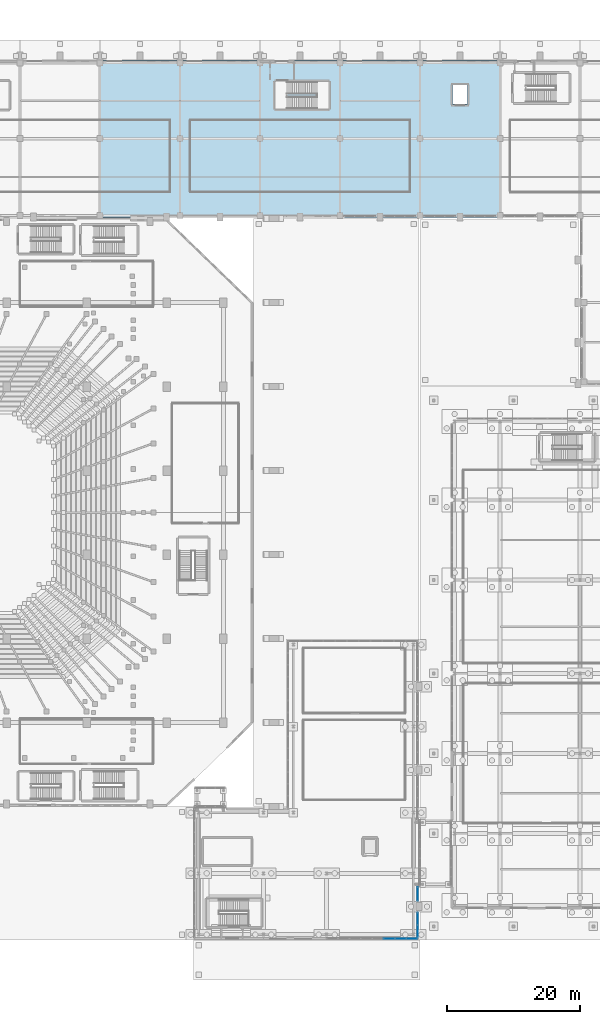
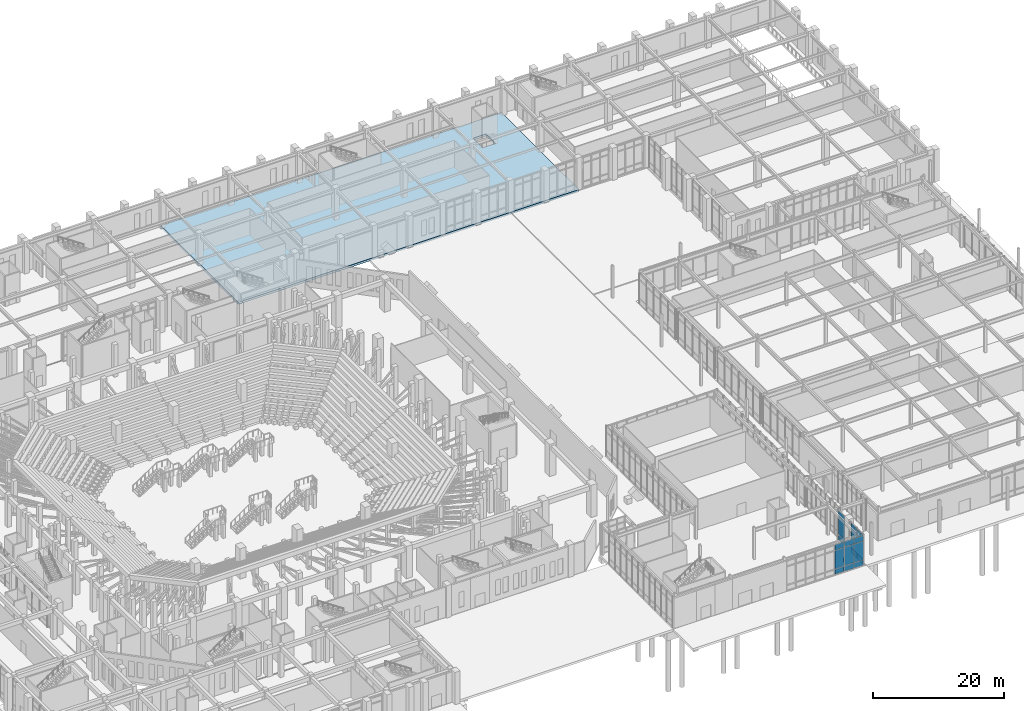
# One storey, part 87 of 143: 18 plates, 1 slab, 3 elements without a shape of their own.
"""IFC4 building model written with IfcOpenShell, lengths in metres."""

import ifcopenshell
import ifcopenshell.guid

model = None  # the IFC model being written
_history = None  # IfcOwnerHistory: only IFC2X3 demands one
_inside = {}  # id of a spatial element -> (the spatial element, [elements in it])
_under = {}  # id of a project, library or spatial element -> (it, [spatial elements below it])
_declared = {}  # id of a project -> (the project, [libraries it declares])
_typed = {}  # id of a type object -> (the type object, [elements of that type])
_made_of = {}  # id of a material, layer set ... -> (it, [elements and type objects made of it])


def new_model(schema):
    """Start an empty IFC model of exactly this schema.

    Asked for "IFC4X3", IfcOpenShell would pick the latest addendum, in which some entities
    have other attributes; the version numbers below select the first issue.
    IFC2X3 requires an IfcOwnerHistory on every rooted entity: one is made here for all.
    """
    global model, _history
    if schema == "IFC4X3":
        model = ifcopenshell.file(schema_version=(4, 3, 0, 0))
    else:
        model = ifcopenshell.file(schema=schema)
    _inside.clear()
    _under.clear()
    _declared.clear()
    _typed.clear()
    _made_of.clear()
    _history = None
    if model.schema == "IFC2X3":
        org = make("IfcOrganization", Name="unknown")
        user = make(
            "IfcPersonAndOrganization",
            ThePerson=make("IfcPerson", FamilyName="unknown"),
            TheOrganization=org,
        )
        app = make(
            "IfcApplication",
            ApplicationDeveloper=org,
            Version="unknown",
            ApplicationFullName="unknown",
            ApplicationIdentifier="unknown",
        )
        _history = make(
            "IfcOwnerHistory",
            OwningUser=user,
            OwningApplication=app,
            ChangeAction="ADDED",
            CreationDate=0,
        )
    return model


def make(cls, **values):
    """One entity of the class cls with the attributes given. An attribute that is None is left unset."""
    return model.create_entity(
        cls, **{name: value for name, value in values.items() if value is not None}
    )


def rooted(cls, **values):
    """An entity with a GlobalId (a new one), such as an element, a storey or a relation."""
    return make(cls, GlobalId=ifcopenshell.guid.new(), OwnerHistory=_history, **values)


def si_unit(unit_type, name, prefix=None):
    """IfcSIUnit, for example si_unit("LENGTHUNIT", "METRE", prefix="MILLI")."""
    return make("IfcSIUnit", UnitType=unit_type, Prefix=prefix, Name=name)


def derived_unit(unit_type, elements):
    """IfcDerivedUnit: a product of units, each with its exponent."""
    return make(
        "IfcDerivedUnit",
        Elements=[
            make("IfcDerivedUnitElement", Unit=unit, Exponent=power)
            for unit, power in elements
        ],
        UnitType=unit_type,
    )


def assignment(units):
    """IfcUnitAssignment: the units of a project."""
    return None if units is None else make("IfcUnitAssignment", Units=units)


def point(xyz):
    """IfcCartesianPoint."""
    return None if xyz is None else make("IfcCartesianPoint", Coordinates=xyz)


def direction(xyz):
    """IfcDirection."""
    return None if xyz is None else make("IfcDirection", DirectionRatios=xyz)


def frame(location, z_axis=None, x_axis=None):
    """IfcAxis2Placement3D, a coordinate frame: its origin and axes. An axis left out is left unset."""
    return make(
        "IfcAxis2Placement3D",
        Location=point(location),
        Axis=direction(z_axis),
        RefDirection=direction(x_axis),
    )


def frame_2d(location, x_axis=None):
    """IfcAxis2Placement2D, a coordinate frame in the plane: its origin and x axis."""
    return make(
        "IfcAxis2Placement2D", Location=point(location), RefDirection=direction(x_axis)
    )


def origin():
    """The frame at (0, 0, 0) with its axes left unset."""
    return frame((0.0, 0.0, 0.0))


def origin_2d():
    """The frame at (0, 0) in the plane with its x axis left unset."""
    return frame_2d((0.0, 0.0))


def place(relative_to, where):
    """IfcLocalPlacement: puts the frame where relative to a parent placement (None: the world)."""
    return make(
        "IfcLocalPlacement", PlacementRelTo=relative_to, RelativePlacement=where
    )


def context(
    kind, dimensions, precision=None, world=None, true_north=None, identifier=None
):
    """IfcGeometricRepresentationContext, for example the 3D "Model" context."""
    return make(
        "IfcGeometricRepresentationContext",
        ContextIdentifier=identifier,
        ContextType=kind,
        CoordinateSpaceDimension=dimensions,
        Precision=precision,
        WorldCoordinateSystem=world,
        TrueNorth=true_north,
    )


def subcontext(parent, identifier, kind, view, scale=None):
    """IfcGeometricRepresentationSubContext, for example "Body" below "Model"."""
    return make(
        "IfcGeometricRepresentationSubContext",
        ContextIdentifier=identifier,
        ContextType=kind,
        ParentContext=parent,
        TargetScale=scale,
        TargetView=view,
    )


def project(units=None, contexts=None):
    """IfcProject with its units and contexts."""
    return rooted(
        "IfcProject",
        Name="project",
        RepresentationContexts=contexts,
        UnitsInContext=assignment(units),
    )


def spatial(cls, under=None, at=None, **own):
    """A site, building, storey or space (cls), placed at a placement, below another one or the project."""
    s = rooted(cls, ObjectPlacement=at, **own)
    if under is not None:
        _under.setdefault(under.id(), (under, []))[1].append(s)
    return s


def polyline(points):
    """IfcPolyline through the points."""
    return make("IfcPolyline", Points=[point(p) for p in points])


def profile(cls, at=None, kind="AREA", **sizes):
    """A parametric profile (cls). Its sizes go by their IFC names, for example OverallWidth=200.0."""
    return make(cls, ProfileType=kind, Position=at, **sizes)


def rectangle(**sizes):
    """IfcRectangleProfileDef."""
    return profile("IfcRectangleProfileDef", **sizes)


def outline(outer, holes=None, kind="AREA"):
    """IfcArbitraryClosedProfileDef: a profile drawn as a closed curve; with holes, ...WithVoids."""
    if holes is None:
        return make("IfcArbitraryClosedProfileDef", ProfileType=kind, OuterCurve=outer)
    return make(
        "IfcArbitraryProfileDefWithVoids",
        ProfileType=kind,
        OuterCurve=outer,
        InnerCurves=holes,
    )


def extrude(swept, where, along, depth):
    """IfcExtrudedAreaSolid: the profile swept, set in the frame where, extruded along a direction by depth."""
    return make(
        "IfcExtrudedAreaSolid",
        SweptArea=swept,
        Position=where,
        ExtrudedDirection=direction(along),
        Depth=depth,
    )


def shape(context_of_items, identifier, shape_type, items):
    """IfcShapeRepresentation: the items that make up one representation, for example the "Body"."""
    return make(
        "IfcShapeRepresentation",
        ContextOfItems=context_of_items,
        RepresentationIdentifier=identifier,
        RepresentationType=shape_type,
        Items=items,
    )


def material(Name=None, Category=None):
    """IfcMaterial."""
    return make("IfcMaterial", Name=Name, Category=Category)


def layer(
    of_material, thickness, ventilated=None, Name=None, Category=None, Priority=None
):
    """IfcMaterialLayer: one layer of a wall or slab, of a material (None: an air gap)."""
    return make(
        "IfcMaterialLayer",
        Material=of_material,
        LayerThickness=thickness,
        IsVentilated=ventilated,
        Name=Name,
        Category=Category,
        Priority=Priority,
    )


def layer_set(layers, Name=None):
    """IfcMaterialLayerSet."""
    return make("IfcMaterialLayerSet", MaterialLayers=layers, LayerSetName=Name)


def made_of(thing, what):
    """Note that an element or type object is made of a material, layer set ...; save() writes the relation."""
    if what is not None:
        _made_of.setdefault(what.id(), (what, []))[1].append(thing)
    return thing


def type_object(cls, material=None, **own):
    """A type object (cls), such as IfcWallType, which elements share."""
    return made_of(rooted(cls, **own), material)


def element(
    cls,
    number,
    at=None,
    inside=None,
    cuts=None,
    type_object=None,
    material=None,
    context=None,
    identifier="Body",
    shape_type=None,
    held_by="IfcProductDefinitionShape",
    body=None,
    shapes=None,
    **own,
):
    """One element of the class cls, such as IfcWall. Its Tag is "e" and its number.

    at: its placement. inside: the storey or other place that contains it. cuts: it is an
    opening in that element (IfcRelVoidsElement). A single representation is given by context,
    identifier, shape_type and body (its items); several are given by shapes. held_by: the class
    of the entity that holds the representations. save() writes the other relations.
    """
    e = rooted(cls, Tag="e%d" % number, ObjectPlacement=at, **own)
    if body is not None:
        shapes = [shape(context, identifier, shape_type, body)]
    if shapes is not None:
        e.Representation = make(held_by, Representations=shapes)
    if inside is not None:
        _inside.setdefault(inside.id(), (inside, []))[1].append(e)
    if cuts is not None:
        rooted(
            "IfcRelVoidsElement", RelatingBuildingElement=cuts, RelatedOpeningElement=e
        )
    if type_object is not None:
        _typed.setdefault(type_object.id(), (type_object, []))[1].append(e)
    return made_of(e, material)


def aggregate(whole, parts):
    """IfcRelAggregates: a whole, such as a stair, and the parts it consists of."""
    return rooted("IfcRelAggregates", RelatingObject=whole, RelatedObjects=parts)


def save(model, path):
    """Write the relations noted so far, then the file.

    IfcRelAggregates (storeys below a building ...), IfcRelContainedInSpatialStructure (elements
    in a storey), IfcRelDefinesByType, IfcRelAssociatesMaterial and IfcRelDeclares: one each for
    every whole, place, type object, material and project.
    """
    for whole, parts in _under.values():
        aggregate(whole, parts)
    for where, things in _inside.values():
        rooted(
            "IfcRelContainedInSpatialStructure",
            RelatedElements=things,
            RelatingStructure=where,
        )
    for kind, things in _typed.values():
        rooted("IfcRelDefinesByType", RelatedObjects=things, RelatingType=kind)
    for what, things in _made_of.values():
        rooted("IfcRelAssociatesMaterial", RelatedObjects=things, RelatingMaterial=what)
    for by, libraries in _declared.values():
        rooted("IfcRelDeclares", RelatingContext=by, RelatedDefinitions=libraries)
    model.write(path)


model = new_model("IFC4")

# Units and contexts
model_context = context("Model", 3, precision=1e-05, world=origin(), true_north=direction((0.0, 1.0)))
body_context = subcontext(model_context, "Body", "Model", "MODEL_VIEW")
ifc_project = project(units=[si_unit("LENGTHUNIT", "METRE"), si_unit("AREAUNIT", "SQUARE_METRE"), si_unit("VOLUMEUNIT", "CUBIC_METRE"), si_unit("PLANEANGLEUNIT", "RADIAN"), si_unit("MASSUNIT", "GRAM", prefix="KILO"), derived_unit("THERMALTRANSMITTANCEUNIT", [(si_unit("MASSUNIT", "GRAM", prefix="KILO"), 1), (si_unit("TIMEUNIT", "SECOND"), -3), (si_unit("THERMODYNAMICTEMPERATUREUNIT", "KELVIN"), -1)])], contexts=[model_context])

# Site, building, storey
site_placement = place(None, origin())
site = spatial("IfcSite", under=ifc_project, at=site_placement, CompositionType="ELEMENT")
building_placement = place(site_placement, origin())
building = spatial("IfcBuilding", under=site, at=building_placement, Name="Valcora Ridge Arena", CompositionType="ELEMENT")
storey_placement = place(building_placement, origin())
storey = spatial("IfcBuildingStorey", under=building, at=storey_placement, Name="L00", CompositionType="ELEMENT", Elevation=0.0)

# Curtain wall, plates
ifc_material_1 = material(Name="Anodised dark bronze architectural aluminium 6063-T6", Category="aluminium")
ifc_layer_1 = layer(ifc_material_1, 0.179931640625, Name="Anodised dark bronze architectural aluminium 6063-T6")
ifc_layer_set_1 = layer_set([ifc_layer_1], Name="Anodised dark bronze architectural aluminium 6063-T6")
curtain_wall_type_1 = type_object("IfcCurtainWallType", Name="TY-CURTAINWALL-CW-V3-LANCET-136X56", PredefinedType="NOTDEFINED", material=ifc_layer_set_1)
curtain_wall_1_placement = place(storey_placement, origin())
curtain_wall_1 = element("IfcCurtainWall", 1, at=curtain_wall_1_placement, inside=storey, type_object=curtain_wall_type_1, Name="CW-V3-LANCET-136X56 CW-0001", PredefinedType="NOTDEFINED")
ifc_material_2 = material(Name="Low-iron solar-control double glazing SHGC 0.28", Category="glass")
ifc_layer_2 = layer(ifc_material_2, 0.031982421875, Name="Low-iron solar-control double glazing SHGC 0.28")
ifc_layer_set_2 = layer_set([ifc_layer_2], Name="Low-iron solar-control double glazing SHGC 0.28")
plate_type_1 = type_object("IfcPlateType", Name="TY-PLT-CWP-1616X0960", PredefinedType="CURTAIN_PANEL", material=ifc_layer_set_2)
plate_1_placement = place(storey_placement, frame((130.781982421875, 0.199951171875, 0.06005859375), z_axis=(0.0, 0.0, 1.0), x_axis=(1.0, 0.0, 0.0)))
plate_1 = element("IfcPlate", 2, at=plate_1_placement, type_object=plate_type_1, Name="CW-0001/P07-00", PredefinedType="CURTAIN_PANEL", context=body_context, shape_type="SweptSolid", body=[
    extrude(rectangle(XDim=1.615966796875, YDim=0.031982421875, at=origin_2d()), origin(), (0.0, 0.0, 1.0), 0.9599609375),
])
ifc_layer_3 = layer(ifc_material_2, 0.031982421875, Name="Low-iron solar-control double glazing SHGC 0.28")
ifc_layer_set_3 = layer_set([ifc_layer_3], Name="Low-iron solar-control double glazing SHGC 0.28")
plate_type_2 = type_object("IfcPlateType", Name="TY-PLT-CWP-1616X1010", PredefinedType="CURTAIN_PANEL", material=ifc_layer_set_3)
plate_2_placement = place(storey_placement, frame((130.781982421875, 0.199951171875, 4.56982421875), z_axis=(0.0, 0.0, 1.0), x_axis=(1.0, 0.0, 0.0)))
plate_2 = element("IfcPlate", 3, at=plate_2_placement, type_object=plate_type_2, Name="CW-0001/P07-02", PredefinedType="CURTAIN_PANEL", context=body_context, shape_type="SweptSolid", body=[
    extrude(rectangle(XDim=1.615966796875, YDim=0.031982421875, at=origin_2d()), origin(), (0.0, 0.0, 1.0), 1.010009765625),
])
ifc_layer_4 = layer(ifc_material_2, 0.031982421875, Name="Low-iron solar-control double glazing SHGC 0.28")
ifc_layer_set_4 = layer_set([ifc_layer_4], Name="Low-iron solar-control double glazing SHGC 0.28")
plate_type_3 = type_object("IfcPlateType", Name="TY-PLT-CWP-1616X3430", PredefinedType="CURTAIN_PANEL", material=ifc_layer_set_4)
plate_3_placement = place(storey_placement, frame((130.781982421875, 0.199951171875, 1.080078125), z_axis=(0.0, 0.0, 1.0), x_axis=(1.0, 0.0, 0.0)))
plate_3 = element("IfcPlate", 4, at=plate_3_placement, type_object=plate_type_3, Name="CW-0001/P07-01", PredefinedType="CURTAIN_PANEL", context=body_context, shape_type="SweptSolid", body=[
    extrude(rectangle(XDim=1.615966796875, YDim=0.031982421875, at=origin_2d()), origin(), (0.0, 0.0, 1.0), 3.429931640625),
])
ifc_layer_5 = layer(ifc_material_2, 0.031982421875, Name="Low-iron solar-control double glazing SHGC 0.28")
ifc_layer_set_5 = layer_set([ifc_layer_5], Name="Low-iron solar-control double glazing SHGC 0.28")
plate_type_4 = type_object("IfcPlateType", Name="TY-PLT-CWP-1646X0960", PredefinedType="CURTAIN_PANEL", material=ifc_layer_set_5)
plate_4_placement = place(storey_placement, frame((129.091064453125, 0.199951171875, 0.06005859375), z_axis=(0.0, 0.0, 1.0), x_axis=(1.0, 0.0, 0.0)))
plate_4 = element("IfcPlate", 5, at=plate_4_placement, type_object=plate_type_4, Name="CW-0001/P06-00", PredefinedType="CURTAIN_PANEL", context=body_context, shape_type="SweptSolid", body=[
    extrude(rectangle(XDim=1.64599609375, YDim=0.031982421875, at=origin_2d()), origin(), (0.0, 0.0, 1.0), 0.9599609375),
])
ifc_layer_6 = layer(ifc_material_2, 0.031982421875, Name="Low-iron solar-control double glazing SHGC 0.28")
ifc_layer_set_6 = layer_set([ifc_layer_6], Name="Low-iron solar-control double glazing SHGC 0.28")
plate_type_5 = type_object("IfcPlateType", Name="TY-PLT-CWP-1646X1010", PredefinedType="CURTAIN_PANEL", material=ifc_layer_set_6)
plate_5_placement = place(storey_placement, frame((129.091064453125, 0.199951171875, 4.56982421875), z_axis=(0.0, 0.0, 1.0), x_axis=(1.0, 0.0, 0.0)))
plate_5 = element("IfcPlate", 6, at=plate_5_placement, type_object=plate_type_5, Name="CW-0001/P06-02", PredefinedType="CURTAIN_PANEL", context=body_context, shape_type="SweptSolid", body=[
    extrude(rectangle(XDim=1.64599609375, YDim=0.031982421875, at=origin_2d()), origin(), (0.0, 0.0, 1.0), 1.010009765625),
])
ifc_layer_7 = layer(ifc_material_2, 0.031982421875, Name="Low-iron solar-control double glazing SHGC 0.28")
ifc_layer_set_7 = layer_set([ifc_layer_7], Name="Low-iron solar-control double glazing SHGC 0.28")
plate_type_6 = type_object("IfcPlateType", Name="TY-PLT-CWP-1646X3430", PredefinedType="CURTAIN_PANEL", material=ifc_layer_set_7)
plate_6_placement = place(storey_placement, frame((129.091064453125, 0.199951171875, 1.080078125), z_axis=(0.0, 0.0, 1.0), x_axis=(1.0, 0.0, 0.0)))
plate_6 = element("IfcPlate", 7, at=plate_6_placement, type_object=plate_type_6, Name="CW-0001/P06-01", PredefinedType="CURTAIN_PANEL", context=body_context, shape_type="SweptSolid", body=[
    extrude(rectangle(XDim=1.64599609375, YDim=0.031982421875, at=origin_2d()), origin(), (0.0, 0.0, 1.0), 3.429931640625),
])
ifc_layer_8 = layer(ifc_material_2, 0.031982421875, Name="Low-iron solar-control double glazing SHGC 0.28")
ifc_layer_set_8 = layer_set([ifc_layer_8], Name="Low-iron solar-control double glazing SHGC 0.28")
plate_type_7 = type_object("IfcPlateType", Name="TY-PLT-CWP-1647X0960", PredefinedType="CURTAIN_PANEL", material=ifc_layer_set_8)
plate_7_placement = place(storey_placement, frame((127.384521484375, 0.199951171875, 0.06005859375), z_axis=(0.0, 0.0, 1.0), x_axis=(1.0, 0.0, 0.0)))
plate_7 = element("IfcPlate", 8, at=plate_7_placement, type_object=plate_type_7, Name="CW-0001/P05-00", PredefinedType="CURTAIN_PANEL", context=body_context, shape_type="SweptSolid", body=[
    extrude(rectangle(XDim=1.64697265625, YDim=0.031982421875, at=origin_2d()), origin(), (0.0, 0.0, 1.0), 0.9599609375),
])
ifc_layer_9 = layer(ifc_material_2, 0.031982421875, Name="Low-iron solar-control double glazing SHGC 0.28")
ifc_layer_set_9 = layer_set([ifc_layer_9], Name="Low-iron solar-control double glazing SHGC 0.28")
plate_type_8 = type_object("IfcPlateType", Name="TY-PLT-CWP-1647X1010", PredefinedType="CURTAIN_PANEL", material=ifc_layer_set_9)
plate_8_placement = place(storey_placement, frame((127.384521484375, 0.199951171875, 4.56982421875), z_axis=(0.0, 0.0, 1.0), x_axis=(1.0, 0.0, 0.0)))
plate_8 = element("IfcPlate", 9, at=plate_8_placement, type_object=plate_type_8, Name="CW-0001/P05-02", PredefinedType="CURTAIN_PANEL", context=body_context, shape_type="SweptSolid", body=[
    extrude(rectangle(XDim=1.64697265625, YDim=0.031982421875, at=origin_2d()), origin(), (0.0, 0.0, 1.0), 1.010009765625),
])
ifc_layer_10 = layer(ifc_material_2, 0.031982421875, Name="Low-iron solar-control double glazing SHGC 0.28")
ifc_layer_set_10 = layer_set([ifc_layer_10], Name="Low-iron solar-control double glazing SHGC 0.28")
plate_type_9 = type_object("IfcPlateType", Name="TY-PLT-CWP-1647X3430", PredefinedType="CURTAIN_PANEL", material=ifc_layer_set_10)
plate_9_placement = place(storey_placement, frame((127.384521484375, 0.199951171875, 1.080078125), z_axis=(0.0, 0.0, 1.0), x_axis=(1.0, 0.0, 0.0)))
plate_9 = element("IfcPlate", 10, at=plate_9_placement, type_object=plate_type_9, Name="CW-0001/P05-01", PredefinedType="CURTAIN_PANEL", context=body_context, shape_type="SweptSolid", body=[
    extrude(rectangle(XDim=1.64697265625, YDim=0.031982421875, at=origin_2d()), origin(), (0.0, 0.0, 1.0), 3.429931640625),
])
aggregate(curtain_wall_1, [plate_7, plate_9, plate_8, plate_4, plate_6, plate_5, plate_1, plate_3, plate_2])

ifc_layer_11 = layer(ifc_material_1, 0.179931640625, Name="Anodised dark bronze architectural aluminium 6063-T6")
ifc_layer_set_11 = layer_set([ifc_layer_11], Name="Anodised dark bronze architectural aluminium 6063-T6")
curtain_wall_type_2 = type_object("IfcCurtainWallType", Name="TY-CURTAINWALL-CW-V3-LANCET-038X56", PredefinedType="NOTDEFINED", material=ifc_layer_set_11)
curtain_wall_2_placement = place(storey_placement, origin())
curtain_wall_2 = element("IfcCurtainWall", 11, at=curtain_wall_2_placement, inside=storey, type_object=curtain_wall_type_2, Name="CW-V3-LANCET-038X56 CW-0002", PredefinedType="NOTDEFINED")
ifc_layer_12 = layer(ifc_material_2, 0.031982421875, Name="Low-iron solar-control double glazing SHGC 0.28")
ifc_layer_set_12 = layer_set([ifc_layer_12], Name="Low-iron solar-control double glazing SHGC 0.28")
plate_type_10 = type_object("IfcPlateType", Name="TY-PLT-CWP-1815X0960", PredefinedType="CURTAIN_PANEL", material=ifc_layer_set_12)
plate_10_placement = place(storey_placement, frame((131.64990234375, 1.3173828125, 0.06005859375), z_axis=(0.0, 0.0, 1.0), x_axis=(0.0, 1.0, 0.0)))
plate_10 = element("IfcPlate", 12, at=plate_10_placement, type_object=plate_type_10, Name="CW-0002/P00-00", PredefinedType="CURTAIN_PANEL", context=body_context, shape_type="SweptSolid", body=[
    extrude(rectangle(XDim=1.81494140625, YDim=0.031982421875, at=origin_2d()), origin(), (0.0, 0.0, 1.0), 0.9599609375),
])
plate_11_placement = place(storey_placement, frame((131.64990234375, 3.1923828125, 0.06005859375), z_axis=(0.0, 0.0, 1.0), x_axis=(0.0, 1.0, 0.0)))
plate_11 = element("IfcPlate", 13, at=plate_11_placement, type_object=plate_type_10, Name="CW-0002/P01-00", PredefinedType="CURTAIN_PANEL", context=body_context, shape_type="SweptSolid", body=[
    extrude(rectangle(XDim=1.81494140625, YDim=0.031982421875, at=origin_2d()), origin(), (0.0, 0.0, 1.0), 0.9599609375),
])
ifc_layer_13 = layer(ifc_material_2, 0.031982421875, Name="Low-iron solar-control double glazing SHGC 0.28")
ifc_layer_set_13 = layer_set([ifc_layer_13], Name="Low-iron solar-control double glazing SHGC 0.28")
plate_type_11 = type_object("IfcPlateType", Name="TY-PLT-CWP-1815X1010", PredefinedType="CURTAIN_PANEL", material=ifc_layer_set_13)
plate_12_placement = place(storey_placement, frame((131.64990234375, 1.3173828125, 4.56982421875), z_axis=(0.0, 0.0, 1.0), x_axis=(0.0, 1.0, 0.0)))
plate_12 = element("IfcPlate", 14, at=plate_12_placement, type_object=plate_type_11, Name="CW-0002/P00-02", PredefinedType="CURTAIN_PANEL", context=body_context, shape_type="SweptSolid", body=[
    extrude(rectangle(XDim=1.81494140625, YDim=0.031982421875, at=origin_2d()), origin(), (0.0, 0.0, 1.0), 1.010009765625),
])
plate_13_placement = place(storey_placement, frame((131.64990234375, 3.1923828125, 4.56982421875), z_axis=(0.0, 0.0, 1.0), x_axis=(0.0, 1.0, 0.0)))
plate_13 = element("IfcPlate", 15, at=plate_13_placement, type_object=plate_type_11, Name="CW-0002/P01-02", PredefinedType="CURTAIN_PANEL", context=body_context, shape_type="SweptSolid", body=[
    extrude(rectangle(XDim=1.81494140625, YDim=0.031982421875, at=origin_2d()), origin(), (0.0, 0.0, 1.0), 1.010009765625),
])
ifc_layer_14 = layer(ifc_material_2, 0.031982421875, Name="Low-iron solar-control double glazing SHGC 0.28")
ifc_layer_set_14 = layer_set([ifc_layer_14], Name="Low-iron solar-control double glazing SHGC 0.28")
plate_type_12 = type_object("IfcPlateType", Name="TY-PLT-CWP-1815X3430", PredefinedType="CURTAIN_PANEL", material=ifc_layer_set_14)
plate_14_placement = place(storey_placement, frame((131.64990234375, 1.3173828125, 1.080078125), z_axis=(0.0, 0.0, 1.0), x_axis=(0.0, 1.0, 0.0)))
plate_14 = element("IfcPlate", 16, at=plate_14_placement, type_object=plate_type_12, Name="CW-0002/P00-01", PredefinedType="CURTAIN_PANEL", context=body_context, shape_type="SweptSolid", body=[
    extrude(rectangle(XDim=1.81494140625, YDim=0.031982421875, at=origin_2d()), origin(), (0.0, 0.0, 1.0), 3.429931640625),
])
plate_15_placement = place(storey_placement, frame((131.64990234375, 3.1923828125, 1.080078125), z_axis=(0.0, 0.0, 1.0), x_axis=(0.0, 1.0, 0.0)))
plate_15 = element("IfcPlate", 17, at=plate_15_placement, type_object=plate_type_12, Name="CW-0002/P01-01", PredefinedType="CURTAIN_PANEL", context=body_context, shape_type="SweptSolid", body=[
    extrude(rectangle(XDim=1.81494140625, YDim=0.031982421875, at=origin_2d()), origin(), (0.0, 0.0, 1.0), 3.429931640625),
])
aggregate(curtain_wall_2, [plate_10, plate_14, plate_12, plate_11, plate_15, plate_13])

ifc_layer_15 = layer(ifc_material_1, 0.179931640625, Name="Anodised dark bronze architectural aluminium 6063-T6")
ifc_layer_set_15 = layer_set([ifc_layer_15], Name="Anodised dark bronze architectural aluminium 6063-T6")
curtain_wall_type_3 = type_object("IfcCurtainWallType", Name="TY-CURTAINWALL-CW-V3-LANCET-021X56", PredefinedType="NOTDEFINED", material=ifc_layer_set_15)
curtain_wall_3_placement = place(storey_placement, origin())
curtain_wall_3 = element("IfcCurtainWall", 18, at=curtain_wall_3_placement, inside=storey, type_object=curtain_wall_type_3, Name="CW-V3-LANCET-021X56 CW-0003", PredefinedType="NOTDEFINED")
ifc_layer_16 = layer(ifc_material_2, 0.031982421875, Name="Low-iron solar-control double glazing SHGC 0.28")
ifc_layer_set_16 = layer_set([ifc_layer_16], Name="Low-iron solar-control double glazing SHGC 0.28")
plate_type_13 = type_object("IfcPlateType", Name="TY-PLT-CWP-1990X0960", PredefinedType="CURTAIN_PANEL", material=ifc_layer_set_16)
plate_16_placement = place(storey_placement, frame((131.64990234375, 6.89501953125, 0.06005859375), z_axis=(0.0, 0.0, 1.0), x_axis=(0.0, 1.0, 0.0)))
plate_16 = element("IfcPlate", 19, at=plate_16_placement, type_object=plate_type_13, Name="CW-0003/P00-00", PredefinedType="CURTAIN_PANEL", context=body_context, shape_type="SweptSolid", body=[
    extrude(rectangle(XDim=1.989990234375, YDim=0.031982421875, at=origin_2d()), origin(), (0.0, 0.0, 1.0), 0.9599609375),
])
ifc_layer_17 = layer(ifc_material_2, 0.031982421875, Name="Low-iron solar-control double glazing SHGC 0.28")
ifc_layer_set_17 = layer_set([ifc_layer_17], Name="Low-iron solar-control double glazing SHGC 0.28")
plate_type_14 = type_object("IfcPlateType", Name="TY-PLT-CWP-1990X1010", PredefinedType="CURTAIN_PANEL", material=ifc_layer_set_17)
plate_17_placement = place(storey_placement, frame((131.64990234375, 6.89501953125, 4.56982421875), z_axis=(0.0, 0.0, 1.0), x_axis=(0.0, 1.0, 0.0)))
plate_17 = element("IfcPlate", 20, at=plate_17_placement, type_object=plate_type_14, Name="CW-0003/P00-02", PredefinedType="CURTAIN_PANEL", context=body_context, shape_type="SweptSolid", body=[
    extrude(rectangle(XDim=1.989990234375, YDim=0.031982421875, at=origin_2d()), origin(), (0.0, 0.0, 1.0), 1.010009765625),
])
ifc_layer_18 = layer(ifc_material_2, 0.031982421875, Name="Low-iron solar-control double glazing SHGC 0.28")
ifc_layer_set_18 = layer_set([ifc_layer_18], Name="Low-iron solar-control double glazing SHGC 0.28")
plate_type_15 = type_object("IfcPlateType", Name="TY-PLT-CWP-1990X3430", PredefinedType="CURTAIN_PANEL", material=ifc_layer_set_18)
plate_18_placement = place(storey_placement, frame((131.64990234375, 6.89501953125, 1.080078125), z_axis=(0.0, 0.0, 1.0), x_axis=(0.0, 1.0, 0.0)))
plate_18 = element("IfcPlate", 21, at=plate_18_placement, type_object=plate_type_15, Name="CW-0003/P00-01", PredefinedType="CURTAIN_PANEL", context=body_context, shape_type="SweptSolid", body=[
    extrude(rectangle(XDim=1.989990234375, YDim=0.031982421875, at=origin_2d()), origin(), (0.0, 0.0, 1.0), 3.429931640625),
])
aggregate(curtain_wall_3, [plate_16, plate_18, plate_17])

# Slab
ifc_material_3 = material(Name="Concrete C40/50", Category="concrete")
ifc_layer_19 = layer(ifc_material_3, 0.39990234375, Name="Concrete C40/50")
ifc_layer_set_19 = layer_set([ifc_layer_19], Name="Concrete C40/50")
slab_type = type_object("IfcSlabType", Name="TY-SLAB-SL-DCK-400-C", PredefinedType="FLOOR", material=ifc_layer_set_19)
slab_placement = place(storey_placement, frame((0.0, 0.0, -0.39990234375)))
element("IfcSlab", 22, at=slab_placement, inside=storey, type_object=slab_type, Name="SL-DCK-400-C SLB-0018", PredefinedType="FLOOR", context=body_context, shape_type="SweptSolid", body=[
    extrude(outline(polyline([(84.0, 132.0), (84.0, 108.35009765625), (144.0, 108.35009765625), (144.0, 132.0), (84.0, 132.0)]), holes=[polyline([(136.8798828125, 128.219970703125), (136.8798828125, 125.3798828125), (139.1201171875, 125.3798828125), (139.1201171875, 128.219970703125), (136.8798828125, 128.219970703125)])]), origin(), (0.0, 0.0, 1.0), 0.39990234375),
])

save(model, "model.ifc")
